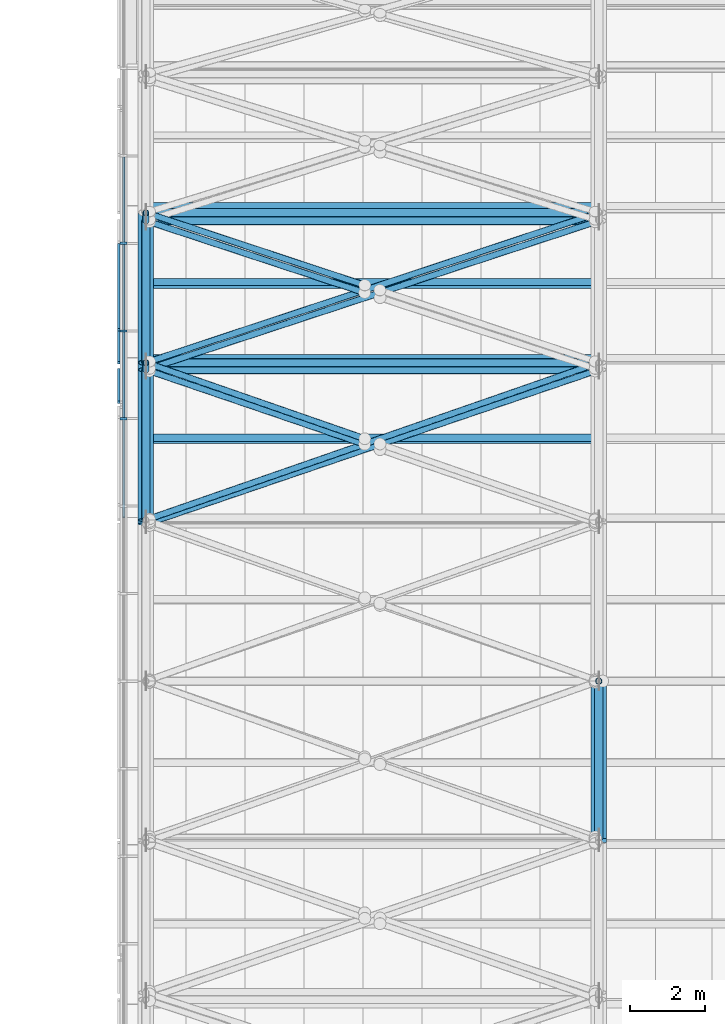
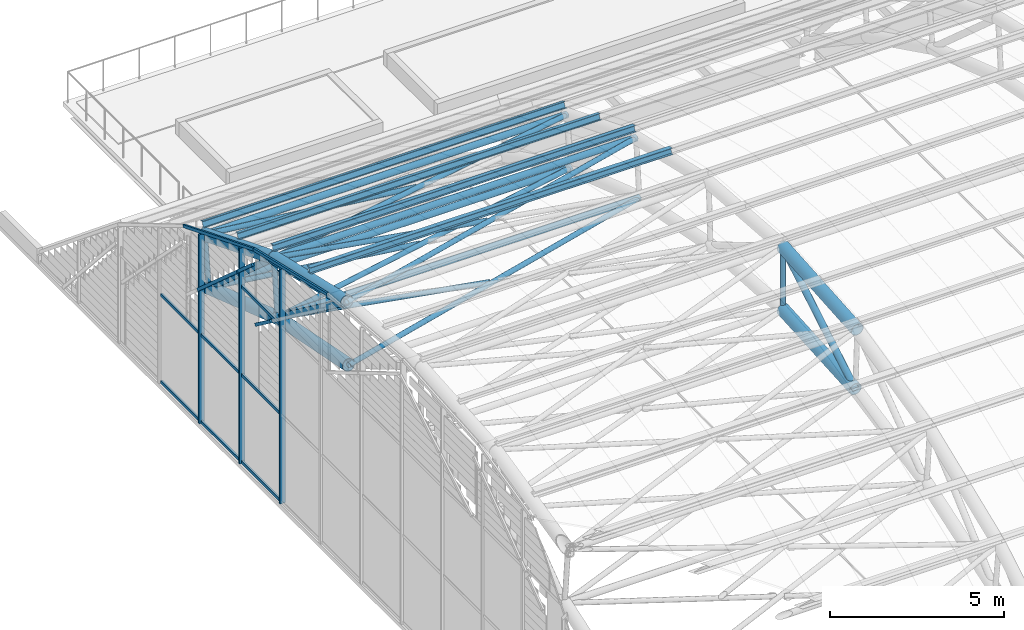
# One storey, part 13 of 110: 43 members, 1 element without a shape of its own.
"""IFC4 building model written with IfcOpenShell, lengths in metres."""

from ifc_helpers import new_model, si_unit, direction, frame, origin, origin_2d, place, context, subcontext, project, spatial, rectangle, hollow_circle, i_section, extrude, material, layer, layer_set, material_profile, profile_set, type_object, element, aggregate, save


model = new_model("IFC4")

# Units and contexts
model_context = context("Model", 3, precision=1e-05, world=origin(), true_north=direction((0.0, 1.0)))
body_context = subcontext(model_context, "Body", "Model", "MODEL_VIEW")
ifc_project = project(units=[si_unit("LENGTHUNIT", "METRE"), si_unit("AREAUNIT", "SQUARE_METRE"), si_unit("VOLUMEUNIT", "CUBIC_METRE"), si_unit("PLANEANGLEUNIT", "RADIAN"), si_unit("MASSUNIT", "GRAM", prefix="KILO")], contexts=[model_context])

# Site, building, storey
site_placement = place(None, origin())
site = spatial("IfcSite", under=ifc_project, at=site_placement, CompositionType="ELEMENT")
building_placement = place(site_placement, origin())
building = spatial("IfcBuilding", under=site, at=building_placement, Name="Windward Yard Aquatics Centre", CompositionType="ELEMENT")
storey_placement = place(building_placement, frame((0.0, 0.0, 22.60009765625)))
storey = spatial("IfcBuildingStorey", under=building, at=storey_placement, Name="L05", CompositionType="ELEMENT", Elevation=22.60009765625)

# Curtain wall, members
ifc_material_1 = material(Name="Glass and aluminium curtain wall", Category="aluminium")
ifc_layer = layer(ifc_material_1, 0.179931640625)
ifc_layer_set = layer_set([ifc_layer], Name="H gable glazing system double glazed 8+16+8")
curtain_wall_type = type_object("IfcCurtainWallType", Name="H gable glazing system double glazed 8+16+8", PredefinedType="NOTDEFINED", material=ifc_layer_set)
curtain_wall_placement = place(storey_placement, origin())
curtain_wall = element("IfcCurtainWall", 1, at=curtain_wall_placement, inside=storey, type_object=curtain_wall_type, Name="Gable glazing W", PredefinedType="NOTDEFINED")
ifc_material_2 = material(Name="Aluminium 6063-T6 anodised", Category="aluminium")
ifc_material_profile_1 = material_profile(ifc_material_2, rectangle(XDim=0.06494140625, YDim=0.179931640625, at=origin_2d()), Name="H CW mullion 65x180")
ifc_profile_set_1 = profile_set([ifc_material_profile_1], Name="Aluminium 6063-T6 anodised")
member_type_1 = type_object("IfcMemberType", Name="H CW mullion 65x180", PredefinedType="MULLION", material=ifc_profile_set_1)
member_1_placement = place(storey_placement, frame((59.409912109375, 67.957763671875, 0.0), z_axis=(0.0, 0.0, 1.0), x_axis=(0.0, 1.0, 0.0)))
member_1 = element("IfcMember", 2, at=member_1_placement, type_object=member_type_1, Name="Gable mullion 13", PredefinedType="MULLION", context=body_context, shape_type="SweptSolid", body=[
    extrude(rectangle(XDim=0.06494140625, YDim=0.179931640625, at=origin_2d()), origin(), (0.0, 0.0, 1.0), 8.22998046875),
])
member_2_placement = place(storey_placement, frame((59.409912109375, 70.27685546875, 0.0), z_axis=(0.0, 0.0, 1.0), x_axis=(0.0, 1.0, 0.0)))
member_2 = element("IfcMember", 3, at=member_2_placement, type_object=member_type_1, Name="Gable mullion 14", PredefinedType="MULLION", context=body_context, shape_type="SweptSolid", body=[
    extrude(rectangle(XDim=0.06494140625, YDim=0.179931640625, at=origin_2d()), origin(), (0.0, 0.0, 1.0), 7.561279296875),
])
member_3_placement = place(storey_placement, frame((59.409912109375, 72.59619140625, 0.0), z_axis=(0.0, 0.0, 1.0), x_axis=(0.0, 1.0, 0.0)))
member_3 = element("IfcMember", 4, at=member_3_placement, type_object=member_type_1, Name="Gable mullion 15", PredefinedType="MULLION", context=body_context, shape_type="SweptSolid", body=[
    extrude(rectangle(XDim=0.06494140625, YDim=0.179931640625, at=origin_2d()), origin(), (0.0, 0.0, 1.0), 6.629150390625),
])
ifc_material_profile_2 = material_profile(ifc_material_2, rectangle(XDim=0.06494140625, YDim=0.10009765625, at=origin_2d()), Name="H CW transom 65x100")
ifc_profile_set_2 = profile_set([ifc_material_profile_2], Name="Aluminium 6063-T6 anodised")
member_type_2 = type_object("IfcMemberType", Name="H CW transom 65x100", PredefinedType="USERDEFINED", material=ifc_profile_set_2)
member_4_placement = place(storey_placement, frame((59.409912109375, 65.338623046875, 8.900146484375), z_axis=(0.0, 0.973831665081, -0.227270517413), x_axis=(-1.0, 0.0, 0.0)))
member_4 = element("IfcMember", 5, at=member_4_placement, type_object=member_type_2, Name="Gable head rail 7", ObjectType="TRANSOM", PredefinedType="USERDEFINED", context=body_context, shape_type="SweptSolid", body=[
    extrude(rectangle(XDim=0.06494140625, YDim=0.10009765625, at=origin_2d()), origin(), (0.0, 0.0, 1.0), 4.33984375),
])
member_5_placement = place(storey_placement, frame((59.409912109375, 69.572265625, 7.911376953125), z_axis=(0.0, 0.927866338697, -0.372912935566), x_axis=(-1.0, 0.0, 0.0)))
member_5 = element("IfcMember", 6, at=member_5_placement, type_object=member_type_2, Name="Gable head rail 8", ObjectType="TRANSOM", PredefinedType="USERDEFINED", context=body_context, shape_type="SweptSolid", body=[
    extrude(rectangle(XDim=0.06494140625, YDim=0.10009765625, at=origin_2d()), origin(), (0.0, 0.0, 1.0), 4.33984375),
])
member_6_placement = place(storey_placement, frame((59.409912109375, 67.990234375, 0.0498046875), z_axis=(0.0, 1.0, 0.0), x_axis=(-1.0, 0.0, 0.0)))
member_6 = element("IfcMember", 7, at=member_6_placement, type_object=member_type_2, Name="Gable transom 13.1", ObjectType="TRANSOM", PredefinedType="USERDEFINED", context=body_context, shape_type="SweptSolid", body=[
    extrude(rectangle(XDim=0.06494140625, YDim=0.10009765625, at=origin_2d()), origin(), (0.0, 0.0, 1.0), 2.254150390625),
])
member_7_placement = place(storey_placement, frame((59.409912109375, 67.990234375, 3.099853515625), z_axis=(0.0, 1.0, 0.0), x_axis=(-1.0, 0.0, 0.0)))
member_7 = element("IfcMember", 8, at=member_7_placement, type_object=member_type_2, Name="Gable transom 13.2", ObjectType="TRANSOM", PredefinedType="USERDEFINED", context=body_context, shape_type="SweptSolid", body=[
    extrude(rectangle(XDim=0.06494140625, YDim=0.10009765625, at=origin_2d()), origin(), (0.0, 0.0, 1.0), 2.254150390625),
])
member_8_placement = place(storey_placement, frame((59.409912109375, 67.990234375, 6.199951171875), z_axis=(0.0, 1.0, 0.0), x_axis=(-1.0, 0.0, 0.0)))
member_8 = element("IfcMember", 9, at=member_8_placement, type_object=member_type_2, Name="Gable transom 13.3", ObjectType="TRANSOM", PredefinedType="USERDEFINED", context=body_context, shape_type="SweptSolid", body=[
    extrude(rectangle(XDim=0.06494140625, YDim=0.10009765625, at=origin_2d()), origin(), (0.0, 0.0, 1.0), 2.254150390625),
])
member_9_placement = place(storey_placement, frame((59.409912109375, 70.309326171875, 0.0498046875), z_axis=(0.0, 1.0, 0.0), x_axis=(-1.0, 0.0, 0.0)))
member_9 = element("IfcMember", 10, at=member_9_placement, type_object=member_type_2, Name="Gable transom 14.1", ObjectType="TRANSOM", PredefinedType="USERDEFINED", context=body_context, shape_type="SweptSolid", body=[
    extrude(rectangle(XDim=0.06494140625, YDim=0.10009765625, at=origin_2d()), origin(), (0.0, 0.0, 1.0), 2.25439453125),
])
member_10_placement = place(storey_placement, frame((59.409912109375, 70.309326171875, 3.099853515625), z_axis=(0.0, 1.0, 0.0), x_axis=(-1.0, 0.0, 0.0)))
member_10 = element("IfcMember", 11, at=member_10_placement, type_object=member_type_2, Name="Gable transom 14.2", ObjectType="TRANSOM", PredefinedType="USERDEFINED", context=body_context, shape_type="SweptSolid", body=[
    extrude(rectangle(XDim=0.06494140625, YDim=0.10009765625, at=origin_2d()), origin(), (0.0, 0.0, 1.0), 2.25439453125),
])
member_11_placement = place(storey_placement, frame((59.409912109375, 72.628662109375, 0.0498046875), z_axis=(0.0, 1.0, 0.0), x_axis=(-1.0, 0.0, 0.0)))
member_11 = element("IfcMember", 12, at=member_11_placement, type_object=member_type_2, Name="Gable transom 15.1", ObjectType="TRANSOM", PredefinedType="USERDEFINED", context=body_context, shape_type="SweptSolid", body=[
    extrude(rectangle(XDim=0.06494140625, YDim=0.10009765625, at=origin_2d()), origin(), (0.0, 0.0, 1.0), 2.254150390625),
])
member_12_placement = place(storey_placement, frame((59.409912109375, 72.628662109375, 3.099853515625), z_axis=(0.0, 1.0, 0.0), x_axis=(-1.0, 0.0, 0.0)))
member_12 = element("IfcMember", 13, at=member_12_placement, type_object=member_type_2, Name="Gable transom 15.2", ObjectType="TRANSOM", PredefinedType="USERDEFINED", context=body_context, shape_type="SweptSolid", body=[
    extrude(rectangle(XDim=0.06494140625, YDim=0.10009765625, at=origin_2d()), origin(), (0.0, 0.0, 1.0), 2.254150390625),
])
member_13_placement = place(storey_placement, frame((59.28759765625, 68.3876953125, 6.14990234375), z_axis=(0.0, 0.802420487219, -0.596759048269), x_axis=(-1.0, 0.0, 0.0)))
member_13 = element("IfcMember", 14, at=member_13_placement, type_object=member_type_2, Name="Gable cover strip 7.4", ObjectType="COVER STRIP", PredefinedType="USERDEFINED", context=body_context, shape_type="SweptSolid", body=[
    extrude(rectangle(XDim=0.06494140625, YDim=0.10009765625, at=origin_2d()), origin(), (0.0, 0.0, 1.0), 1.07421875),
])
member_14_placement = place(storey_placement, frame((59.28759765625, 69.4375, 7.496826171875), z_axis=(0.0, 0.748507881911, -0.663125893566), x_axis=(-1.0, 0.0, 0.0)))
member_14 = element("IfcMember", 15, at=member_14_placement, type_object=member_type_2, Name="Gable cover strip 8.1", ObjectType="COVER STRIP", PredefinedType="USERDEFINED", context=body_context, shape_type="SweptSolid", body=[
    extrude(rectangle(XDim=0.06494140625, YDim=0.10009765625, at=origin_2d()), origin(), (0.0, 0.0, 1.0), 1.077880859375),
])
member_15_placement = place(storey_placement, frame((59.28759765625, 70.309326171875, 6.724365234375), z_axis=(0.0, 0.748615772078, -0.66300409184), x_axis=(-1.0, 0.0, 0.0)))
member_15 = element("IfcMember", 16, at=member_15_placement, type_object=member_type_2, Name="Gable cover strip 8.2", ObjectType="COVER STRIP", PredefinedType="USERDEFINED", context=body_context, shape_type="SweptSolid", body=[
    extrude(rectangle(XDim=0.06494140625, YDim=0.10009765625, at=origin_2d()), origin(), (0.0, 0.0, 1.0), 3.011474609375),
])
aggregate(curtain_wall, [member_1, member_2, member_3, member_4, member_5, member_6, member_7, member_8, member_9, member_10, member_11, member_12, member_13, member_14, member_15])

# Members
ifc_material_3 = material(Name="Steel ASTM A500 Gr C", Category="steel")
ifc_material_profile_3 = material_profile(ifc_material_3, hollow_circle(Radius=0.084228515625, WallThickness=0.010986328125, at=origin_2d()), Name="HSS168.3X11")
ifc_profile_set_3 = profile_set([ifc_material_profile_3], Name="Steel ASTM A500 Gr C")
member_type_3 = type_object("IfcMemberType", Name="H arch post HSS168.3X11", PredefinedType="POST", material=ifc_profile_set_3)
member_16_placement = place(storey_placement, frame((60.0, 69.249755859375, 5.5087890625), z_axis=(0.0, 0.094018625473, 0.995570438525), x_axis=(-1.0, 0.0, 0.0)))
element("IfcMember", 17, at=member_16_placement, inside=storey, type_object=member_type_3, Name="H.AT.1.WP08", PredefinedType="POST", context=body_context, shape_type="SweptSolid", body=[
    extrude(hollow_circle(Radius=0.084228515625, WallThickness=0.010986328125, at=origin_2d()), origin(), (0.0, 0.0, 1.0), 1.996826171875),
])
member_17_placement = place(storey_placement, frame((60.0, 73.197265625, 4.16650390625), z_axis=(0.0, 0.121591772527, 0.992580193664), x_axis=(-1.0, 0.0, 0.0)))
element("IfcMember", 18, at=member_17_placement, inside=storey, type_object=member_type_3, Name="H.AT.1.WP09", PredefinedType="POST", context=body_context, shape_type="SweptSolid", body=[
    extrude(hollow_circle(Radius=0.084228515625, WallThickness=0.010986328125, at=origin_2d()), origin(), (0.0, 0.0, 1.0), 1.746826171875),
])
member_18_placement = place(storey_placement, frame((72.0, 61.0, 6.5966796875), z_axis=(0.0, 0.0, 1.0), x_axis=(1.0, 0.0, 0.0)))
element("IfcMember", 19, at=member_18_placement, inside=storey, type_object=member_type_3, Name="H.AT.2.WP06", PredefinedType="POST", context=body_context, shape_type="SweptSolid", body=[
    extrude(hollow_circle(Radius=0.084228515625, WallThickness=0.010986328125, at=origin_2d()), origin(), (0.0, 0.0, 1.0), 2.199951171875),
])
ifc_material_profile_4 = material_profile(ifc_material_3, hollow_circle(Radius=0.203125, WallThickness=0.015869140625, at=origin_2d()), Name="HSS406.4X15.9")
ifc_profile_set_4 = profile_set([ifc_material_profile_4], Name="Steel ASTM A500 Gr C")
member_type_4 = type_object("IfcMemberType", Name="H arch top chord HSS406.4X15.9", PredefinedType="CHORD", material=ifc_profile_set_4)
member_19_placement = place(storey_placement, frame((60.0, 65.2685546875, 8.4697265625), z_axis=(0.0, 0.973833637334, -0.227262066337), x_axis=(-1.0, 0.0, 0.0)))
element("IfcMember", 20, at=member_19_placement, inside=storey, type_object=member_type_4, Name="H.AT.1.TC07", PredefinedType="CHORD", context=body_context, shape_type="SweptSolid", body=[
    extrude(hollow_circle(Radius=0.203125, WallThickness=0.015869140625, at=origin_2d()), origin(), (0.0, 0.0, 1.0), 4.281005859375),
])
member_20_placement = place(storey_placement, frame((60.0, 65.16064453125, 6.323486328125), z_axis=(0.0, 0.980724544319, -0.195395414914), x_axis=(-1.0, 0.0, 0.0)))
element("IfcMember", 21, at=member_20_placement, inside=storey, type_object=member_type_4, Name="H.AT.1.BC07", PredefinedType="CHORD", context=body_context, shape_type="SweptSolid", body=[
    extrude(hollow_circle(Radius=0.203125, WallThickness=0.015869140625, at=origin_2d()), origin(), (0.0, 0.0, 1.0), 4.16943359375),
])
member_21_placement = place(storey_placement, frame((60.0, 69.4375, 7.496826171875), z_axis=(0.0, 0.92786581708, -0.372914233429), x_axis=(-1.0, 0.0, 0.0)))
element("IfcMember", 22, at=member_21_placement, inside=storey, type_object=member_type_4, Name="H.AT.1.TC08", PredefinedType="CHORD", context=body_context, shape_type="SweptSolid", body=[
    extrude(hollow_circle(Radius=0.203125, WallThickness=0.015869140625, at=origin_2d()), origin(), (0.0, 0.0, 1.0), 4.281005859375),
])
member_22_placement = place(storey_placement, frame((60.0, 69.249755859375, 5.5087890625), z_axis=(0.0, 0.946763107829, -0.321931075938), x_axis=(-1.0, 0.0, 0.0)))
element("IfcMember", 23, at=member_22_placement, inside=storey, type_object=member_type_4, Name="H.AT.1.BC08", PredefinedType="CHORD", context=body_context, shape_type="SweptSolid", body=[
    extrude(hollow_circle(Radius=0.203125, WallThickness=0.015869140625, at=origin_2d()), origin(), (0.0, 0.0, 1.0), 4.16943359375),
])
member_23_placement = place(storey_placement, frame((72.0, 56.7314453125, 8.4697265625), z_axis=(0.0, 0.997080259355, 0.076360699341), x_axis=(-1.0, 0.0, 0.0)))
element("IfcMember", 24, at=member_23_placement, inside=storey, type_object=member_type_4, Name="H.AT.2.TC05", PredefinedType="CHORD", context=body_context, shape_type="SweptSolid", body=[
    extrude(hollow_circle(Radius=0.203125, WallThickness=0.015869140625, at=origin_2d()), origin(), (0.0, 0.0, 1.0), 4.281005859375),
])
member_24_placement = place(storey_placement, frame((72.0, 56.83935546875, 6.323486328125), z_axis=(0.0, 0.997851241995, 0.065520217098), x_axis=(-1.0, 0.0, 0.0)))
element("IfcMember", 25, at=member_24_placement, inside=storey, type_object=member_type_4, Name="H.AT.2.BC05", PredefinedType="CHORD", context=body_context, shape_type="SweptSolid", body=[
    extrude(hollow_circle(Radius=0.203125, WallThickness=0.015869140625, at=origin_2d()), origin(), (0.0, 0.0, 1.0), 4.169677734375),
])
ifc_material_profile_5 = material_profile(ifc_material_3, hollow_circle(Radius=0.109619140625, WallThickness=0.00830078125, at=origin_2d()), Name="HSS219.1X8.2")
ifc_profile_set_5 = profile_set([ifc_material_profile_5], Name="Steel ASTM A500 Gr C")
member_type_5 = type_object("IfcMemberType", Name="H arch web diagonal HSS219.1X8.2", PredefinedType="BRACE", material=ifc_profile_set_5)
member_25_placement = place(storey_placement, frame((60.0, 65.2685546875, 8.4697265625), z_axis=(0.0, 0.802408568981, -0.596775073563), x_axis=(-1.0, 0.0, 0.0)))
element("IfcMember", 26, at=member_25_placement, inside=storey, type_object=member_type_5, Name="H.AT.1.WD07", PredefinedType="BRACE", context=body_context, shape_type="SweptSolid", body=[
    extrude(hollow_circle(Radius=0.109619140625, WallThickness=0.00830078125, at=origin_2d()), origin(), (0.0, 0.0, 1.0), 4.961669921875),
])
member_26_placement = place(storey_placement, frame((60.0, 69.4375, 7.496826171875), z_axis=(0.0, 0.748564053538, -0.663062484047), x_axis=(-1.0, 0.0, 0.0)))
element("IfcMember", 27, at=member_26_placement, inside=storey, type_object=member_type_5, Name="H.AT.1.WD08", PredefinedType="BRACE", context=body_context, shape_type="SweptSolid", body=[
    extrude(hollow_circle(Radius=0.109619140625, WallThickness=0.00830078125, at=origin_2d()), origin(), (0.0, 0.0, 1.0), 5.022705078125),
])
member_27_placement = place(storey_placement, frame((72.0, 56.83935546875, 6.323486328125), z_axis=(0.0, 0.859604150376, 0.51096057055), x_axis=(-1.0, 0.0, 0.0)))
element("IfcMember", 28, at=member_27_placement, inside=storey, type_object=member_type_5, Name="H.AT.2.WD05", PredefinedType="BRACE", context=body_context, shape_type="SweptSolid", body=[
    extrude(hollow_circle(Radius=0.109619140625, WallThickness=0.00830078125, at=origin_2d()), origin(), (0.0, 0.0, 1.0), 4.840087890625),
])
ifc_material_profile_6 = material_profile(ifc_material_3, hollow_circle(Radius=0.084228515625, WallThickness=0.007080078125, at=origin_2d()), Name="HSS168.3X7.1")
ifc_profile_set_6 = profile_set([ifc_material_profile_6], Name="Steel ASTM A500 Gr C")
member_type_6 = type_object("IfcMemberType", Name="H roof brace HSS168.3X7.1", PredefinedType="BRACE", material=ifc_profile_set_6)
member_28_placement = place(storey_placement, frame((60.0, 65.2685546875, 8.4697265625), z_axis=(0.941859984788, 0.327213564051, -0.076361328926), x_axis=(-0.32817175629, 0.944618070108, 0.0)))
element("IfcMember", 29, at=member_28_placement, inside=storey, type_object=member_type_6, Name="H.RB.1.T07A", PredefinedType="BRACE", context=body_context, shape_type="SweptSolid", body=[
    extrude(hollow_circle(Radius=0.084228515625, WallThickness=0.007080078125, at=origin_2d()), origin(), (0.0, 0.0, 1.0), 12.74072265625),
])
member_29_placement = place(storey_placement, frame((60.0, 69.4375, 7.496826171875), z_axis=(0.941854737477, -0.327230144292, 0.07635500088), x_axis=(0.328188225573, 0.944612348318, 0.0)))
element("IfcMember", 30, at=member_29_placement, inside=storey, type_object=member_type_6, Name="H.RB.1.T07B1", PredefinedType="BRACE", context=body_context, shape_type="SweptSolid", body=[
    extrude(hollow_circle(Radius=0.084228515625, WallThickness=0.007080078125, at=origin_2d()), origin(), (0.0, 0.0, 1.0), 6.25732421875),
])
member_30_placement = place(storey_placement, frame((60.0, 69.4375, 7.496826171875), z_axis=(0.941859739241, 0.311768757272, -0.125301530658), x_axis=(-0.314245417859, 0.949341781107, 0.0)))
element("IfcMember", 31, at=member_30_placement, inside=storey, type_object=member_type_6, Name="H.RB.1.T08A", PredefinedType="BRACE", context=body_context, shape_type="SweptSolid", body=[
    extrude(hollow_circle(Radius=0.084228515625, WallThickness=0.007080078125, at=origin_2d()), origin(), (0.0, 0.0, 1.0), 12.74072265625),
])
member_31_placement = place(storey_placement, frame((60.0, 73.40966796875, 5.900390625), z_axis=(0.941853728826, -0.311779335006, 0.125320388442), x_axis=(0.314256834084, 0.9493380021, 0.0)))
element("IfcMember", 32, at=member_31_placement, inside=storey, type_object=member_type_6, Name="H.RB.1.T08B1", PredefinedType="BRACE", context=body_context, shape_type="SweptSolid", body=[
    extrude(hollow_circle(Radius=0.084228515625, WallThickness=0.007080078125, at=origin_2d()), origin(), (0.0, 0.0, 1.0), 6.25732421875),
])
member_32_placement = place(storey_placement, frame((60.0, 65.16064453125, 6.323486328125), z_axis=(0.944605023003, 0.321882925014, -0.064130594111), x_axis=(-0.322546883009, 0.946553489382, 0.0)))
element("IfcMember", 33, at=member_32_placement, inside=storey, type_object=member_type_6, Name="H.RB.1.B07A", PredefinedType="BRACE", context=body_context, shape_type="SweptSolid", body=[
    extrude(hollow_circle(Radius=0.084228515625, WallThickness=0.007080078125, at=origin_2d()), origin(), (0.0, 0.0, 1.0), 12.70361328125),
])
member_33_placement = place(storey_placement, frame((60.0, 69.249755859375, 5.5087890625), z_axis=(0.944603317276, -0.321888613836, 0.064127164858), x_axis=(0.322552512339, 0.946551571117, 0.0)))
element("IfcMember", 34, at=member_33_placement, inside=storey, type_object=member_type_6, Name="H.RB.1.B07B1", PredefinedType="BRACE", context=body_context, shape_type="SweptSolid", body=[
    extrude(hollow_circle(Radius=0.084228515625, WallThickness=0.007080078125, at=origin_2d()), origin(), (0.0, 0.0, 1.0), 6.236083984375),
])
member_34_placement = place(storey_placement, frame((60.0, 69.249755859375, 5.5087890625), z_axis=(0.944605023876, 0.310736463034, -0.105660775172), x_axis=(-0.312485685154, 0.949922468717, 0.0)))
element("IfcMember", 35, at=member_34_placement, inside=storey, type_object=member_type_6, Name="H.RB.1.B08A", PredefinedType="BRACE", context=body_context, shape_type="SweptSolid", body=[
    extrude(hollow_circle(Radius=0.084228515625, WallThickness=0.007080078125, at=origin_2d()), origin(), (0.0, 0.0, 1.0), 12.70361328125),
])
member_35_placement = place(storey_placement, frame((60.0, 73.197265625, 4.16650390625), z_axis=(0.944606037687, -0.310731851837, 0.105665272535), x_axis=(0.312481198168, 0.94992394474, 0.0)))
element("IfcMember", 36, at=member_35_placement, inside=storey, type_object=member_type_6, Name="H.RB.1.B08B1", PredefinedType="BRACE", context=body_context, shape_type="SweptSolid", body=[
    extrude(hollow_circle(Radius=0.084228515625, WallThickness=0.007080078125, at=origin_2d()), origin(), (0.0, 0.0, 1.0), 6.236083984375),
])
ifc_material_4 = material(Name="Steel ASTM A992 Gr 50", Category="steel")
ifc_material_profile_7 = material_profile(ifc_material_4, i_section(OverallWidth=0.202880859375, OverallDepth=0.202880859375, WebThickness=0.00732421875, FlangeThickness=0.010986328125, at=origin_2d()), Name="W200X46.1")
ifc_profile_set_7 = profile_set([ifc_material_profile_7], Name="Steel ASTM A992 Gr 50")
member_type_7 = type_object("IfcMemberType", Name="H roof purlin W200X46.1", PredefinedType="PURLIN", material=ifc_profile_set_7)
for number, where, z_axis, x_axis, name in (
    (37, (60.0, 67.422119140625, 8.280029296875), (1.0, 0.0, 0.0), (0.0, 0.973829299376, -0.227280653986), "H.PU.1.14"),
    (38, (60.0, 69.529052734375, 7.787353515625), (1.0, 0.0, 0.0), (0.0, 0.953632764452, -0.300972674115), "H.PU.1.15"),
    (39, (60.0, 71.537109375, 6.9814453125), (1.0, 0.0, 0.0), (0.0, 0.927868526784, -0.372907491214), "H.PU.1.16"),
    (40, (60.0, 73.54443359375, 6.173583984375), (1.0, 0.0, 0.0), (0.0, 0.896687008655, -0.44266512005), "H.PU.1.17"),
):
    element("IfcMember", number, at=place(storey_placement, frame(where, z_axis=z_axis, x_axis=x_axis)), inside=storey, type_object=member_type_7, Name=name, PredefinedType="PURLIN", context=body_context, shape_type="SweptSolid", body=[
        extrude(i_section(OverallWidth=0.202880859375, OverallDepth=0.202880859375, WebThickness=0.00732421875, FlangeThickness=0.010986328125, at=origin_2d()), origin(), (0.0, 0.0, 1.0), 12.0),
    ])
ifc_material_profile_8 = material_profile(ifc_material_3, hollow_circle(Radius=0.109619140625, WallThickness=0.00830078125, at=origin_2d()), Name="HSS219.1X8.2")
ifc_profile_set_8 = profile_set([ifc_material_profile_8], Name="Steel ASTM A500 Gr C")
member_type_8 = type_object("IfcMemberType", Name="H roof strut HSS219.1X8.2", PredefinedType="STRUT", material=ifc_profile_set_8)
for number, where, z_axis, x_axis, name in (
    (41, (60.0, 69.4375, 7.496826171875), (1.0, 0.0, 0.0), (0.0, 1.0, 0.0), "H.RS.1.T08"),
    (42, (60.0, 73.40966796875, 5.900390625), (1.0, 0.0, 0.0), (0.0, 1.0, 0.0), "H.RS.1.T09"),
    (43, (60.0, 69.249755859375, 5.5087890625), (1.0, 0.0, 0.0), (0.0, 1.0, 0.0), "H.RS.1.B08"),
    (44, (60.0, 73.197265625, 4.16650390625), (1.0, 0.0, 0.0), (0.0, 1.0, 0.0), "H.RS.1.B09"),
):
    element("IfcMember", number, at=place(storey_placement, frame(where, z_axis=z_axis, x_axis=x_axis)), inside=storey, type_object=member_type_8, Name=name, PredefinedType="STRUT", context=body_context, shape_type="SweptSolid", body=[
        extrude(hollow_circle(Radius=0.109619140625, WallThickness=0.00830078125, at=origin_2d()), origin(), (0.0, 0.0, 1.0), 12.0),
    ])

save(model, "model.ifc")
